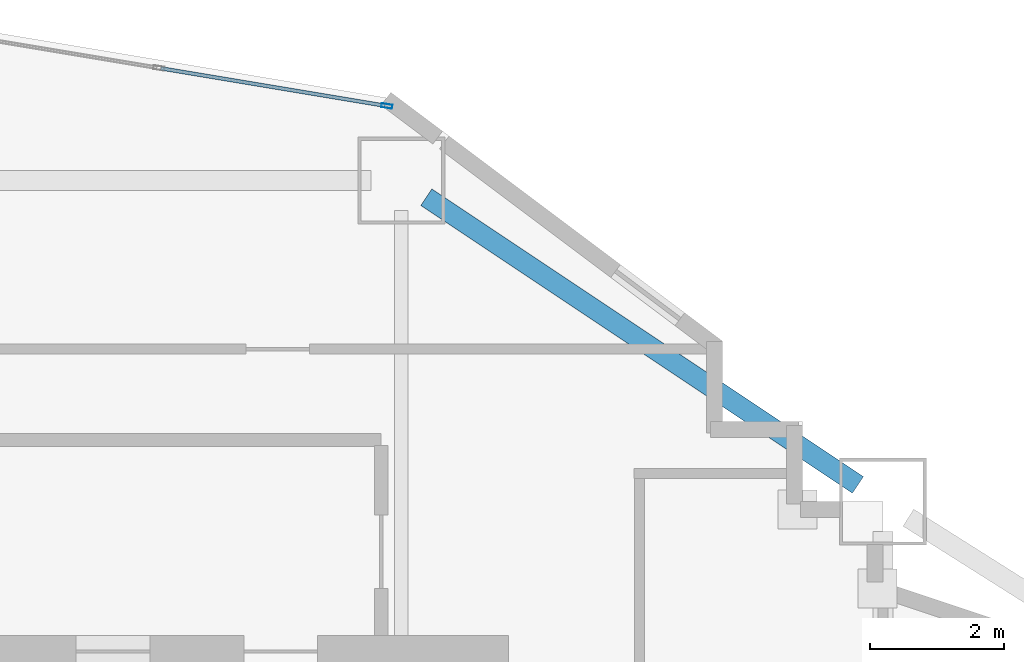
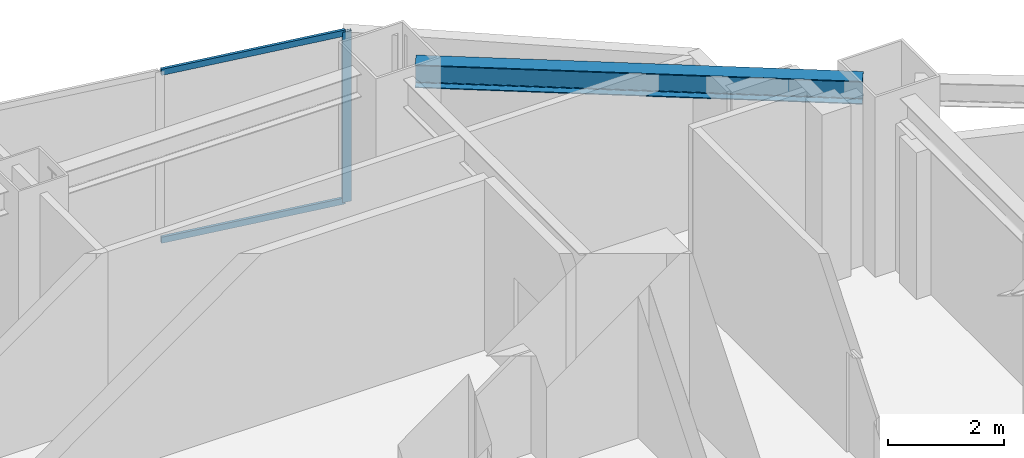
# One storey, part 5 of 17: 3 members, 1 beam, 1 element without a shape of its own.
"""IFC4 building model written with IfcOpenShell, lengths in metres."""

from ifc_helpers import new_model, si_unit, direction, frame, origin, origin_2d, place, context, subcontext, project, spatial, hollow_rectangle, i_section, extrude, material, layer, layer_set, material_profile, profile_set, type_object, element, aggregate, save


model = new_model("IFC4")

# Units and contexts
model_context = context("Model", 3, precision=1e-05, world=origin(), true_north=direction((0.0, 1.0)))
body_context = subcontext(model_context, "Body", "Model", "MODEL_VIEW")
ifc_project = project(units=[si_unit("LENGTHUNIT", "METRE"), si_unit("AREAUNIT", "SQUARE_METRE"), si_unit("VOLUMEUNIT", "CUBIC_METRE"), si_unit("PLANEANGLEUNIT", "RADIAN"), si_unit("MASSUNIT", "GRAM", prefix="KILO")], contexts=[model_context])

# Site, building, storey
site_placement = place(None, origin())
site = spatial("IfcSite", under=ifc_project, at=site_placement, CompositionType="ELEMENT")
building_placement = place(site_placement, origin())
building = spatial("IfcBuilding", under=site, at=building_placement, Name="Haolan Belvedere Tower", CompositionType="ELEMENT")
storey_placement = place(building_placement, frame((0.0, 0.0, 27.800048828125)))
storey = spatial("IfcBuildingStorey", under=building, at=storey_placement, Name="L06", CompositionType="ELEMENT", Elevation=27.800048828125)

# Beam
ifc_material_1 = material(Name="Steel Q355B", Category="steel")
ifc_material_profile_1 = material_profile(ifc_material_1, i_section(OverallWidth=0.300048828125, OverallDepth=0.488037109375, WebThickness=0.010986328125, FlangeThickness=0.01806640625, FilletRadius=0.02587890625, at=origin_2d()), Name="Steel Q355B")
ifc_profile_set_1 = profile_set([ifc_material_profile_1], Name="Steel Q355B")
beam_type = type_object("IfcBeamType", Name="BM-HM488x300x11x18", PredefinedType="SPANDREL", material=ifc_profile_set_1)
beam_placement = place(storey_placement, frame((45.974365234375, 50.150390625, 3.35595703125), z_axis=(0.832050294338, -0.554700196225, 0.0), x_axis=(0.554700196225, 0.832050294338, 0.0)))
element("IfcBeam", 1, at=beam_placement, inside=storey, type_object=beam_type, Name="L06 spandrel girder MC-T3-N2-MC-T3-NE", PredefinedType="SPANDREL", context=body_context, shape_type="SweptSolid", body=[
    extrude(i_section(OverallWidth=0.300048828125, OverallDepth=0.488037109375, WebThickness=0.010986328125, FlangeThickness=0.01806640625, FilletRadius=0.02587890625, at=origin_2d()), origin(), (0.0, 0.0, 1.0), 7.75341796875),
])

# Curtain wall, members
ifc_material_2 = material(Name="Anodised champagne-silver aluminium 6063-T6 and Low-E glass", Category="aluminium")
ifc_layer = layer(ifc_material_2, 0.1650390625, Name="Anodised champagne-silver aluminium 6063-T6 and Low-E glass")
ifc_layer_set = layer_set([ifc_layer], Name="Anodised champagne-silver aluminium 6063-T6 and Low-E glass")
curtain_wall_type = type_object("IfcCurtainWallType", Name="CW-SYS-02", PredefinedType="NOTDEFINED", material=ifc_layer_set)
curtain_wall_placement = place(storey_placement, origin())
curtain_wall = element("IfcCurtainWall", 2, at=curtain_wall_placement, inside=storey, type_object=curtain_wall_type, Name="L06 CW-SYS-02 ribbon curtain wall 42.1", PredefinedType="NOTDEFINED")
ifc_material_3 = material(Name="Anodised aluminium 6063-T6", Category="aluminium")
ifc_material_profile_2 = material_profile(ifc_material_3, hollow_rectangle(XDim=0.06005859375, YDim=0.1650390625, WallThickness=0.00390625, at=origin_2d()), Name="Anodised aluminium 6063-T6")
ifc_profile_set_2 = profile_set([ifc_material_profile_2], Name="Anodised aluminium 6063-T6")
member_type_1 = type_object("IfcMemberType", Name="CW-SYS-02-MUL", PredefinedType="MULLION", material=ifc_profile_set_2)
member_1_placement = place(storey_placement, frame((45.3837890625, 51.514404296875, 0.0), z_axis=(0.0, 0.0, 1.0), x_axis=(-0.16440364043, -0.9863931483, 0.0)))
member_1 = element("IfcMember", 3, at=member_1_placement, type_object=member_type_1, Name="CW-02 mullion 1", PredefinedType="MULLION", context=body_context, shape_type="SweptSolid", body=[
    extrude(hollow_rectangle(XDim=0.06005859375, YDim=0.1650390625, WallThickness=0.00390625, at=origin_2d()), origin(), (0.0, 0.0, 1.0), 3.599853515625),
])
ifc_material_profile_3 = material_profile(ifc_material_3, hollow_rectangle(XDim=0.054931640625, YDim=0.1298828125, WallThickness=0.00390625, at=origin_2d()), Name="Anodised aluminium 6063-T6")
ifc_profile_set_3 = profile_set([ifc_material_profile_3], Name="Anodised aluminium 6063-T6")
member_type_2 = type_object("IfcMemberType", Name="CW-SYS-02-TRN", PredefinedType="USERDEFINED", material=ifc_profile_set_3)
member_2_placement = place(storey_placement, frame((45.35400390625, 51.519287109375, 0.02734375), z_axis=(-0.986393923832, 0.164398987305, 0.0), x_axis=(-0.164398987305, -0.986393923832, 0.0)))
member_2 = element("IfcMember", 4, at=member_2_placement, type_object=member_type_2, Name="CW-02 transom 1.1", ObjectType="TRANSOM", PredefinedType="USERDEFINED", context=body_context, shape_type="SweptSolid", body=[
    extrude(hollow_rectangle(XDim=0.054931640625, YDim=0.1298828125, WallThickness=0.00390625, at=origin_2d()), origin(), (0.0, 0.0, 1.0), 3.394775390625),
])
member_3_placement = place(storey_placement, frame((45.35400390625, 51.519287109375, 3.572509765625), z_axis=(-0.986393923832, 0.164398987305, 0.0), x_axis=(-0.164398987305, -0.986393923832, 0.0)))
member_3 = element("IfcMember", 5, at=member_3_placement, type_object=member_type_2, Name="CW-02 transom 1.2", ObjectType="TRANSOM", PredefinedType="USERDEFINED", context=body_context, shape_type="SweptSolid", body=[
    extrude(hollow_rectangle(XDim=0.054931640625, YDim=0.1298828125, WallThickness=0.00390625, at=origin_2d()), origin(), (0.0, 0.0, 1.0), 3.394775390625),
])
aggregate(curtain_wall, [member_1, member_2, member_3])

save(model, "model.ifc")
